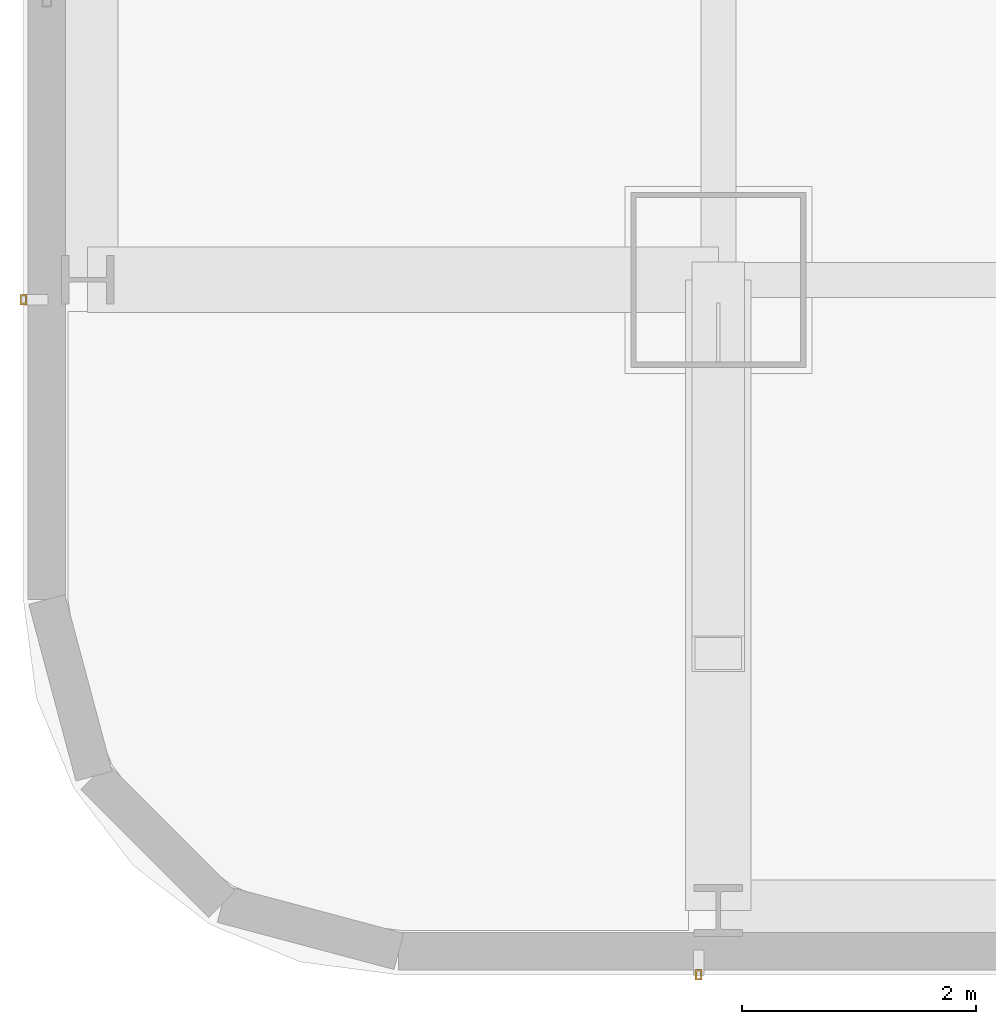
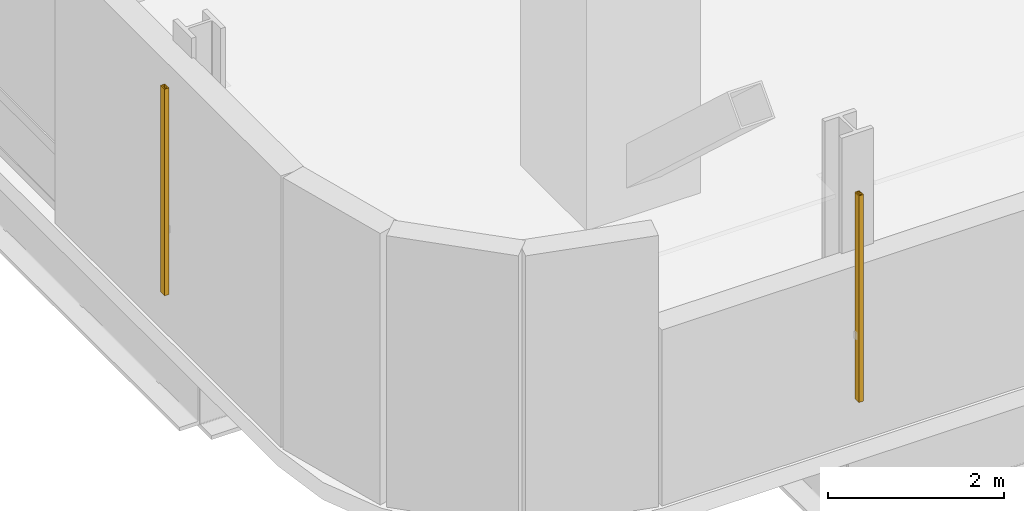
# One storey, part 34 of 45: 2 shading devices.
"""IFC4 building model written with IfcOpenShell, lengths in metres."""

from ifc_helpers import new_model, si_unit, direction, frame, origin, origin_2d, place, context, subcontext, project, spatial, hollow_rectangle, extrude, material, material_profile, profile_set, type_object, element, save


model = new_model("IFC4")

# Units and contexts
model_context = context("Model", 3, precision=1e-05, world=origin(), true_north=direction((0.0, 1.0)))
body_context = subcontext(model_context, "Body", "Model", "MODEL_VIEW")
ifc_project = project(units=[si_unit("LENGTHUNIT", "METRE"), si_unit("AREAUNIT", "SQUARE_METRE"), si_unit("VOLUMEUNIT", "CUBIC_METRE"), si_unit("PLANEANGLEUNIT", "RADIAN"), si_unit("MASSUNIT", "GRAM", prefix="KILO")], contexts=[model_context])

# Site, building, storey
site_placement = place(None, origin())
site = spatial("IfcSite", under=ifc_project, at=site_placement, CompositionType="ELEMENT")
building_placement = place(site_placement, origin())
building = spatial("IfcBuilding", under=site, at=building_placement, Name="Punatoya Terracotta Tower", CompositionType="ELEMENT")
storey_placement = place(building_placement, frame((0.0, 0.0, 56.550048828125)))
storey = spatial("IfcBuildingStorey", under=building, at=storey_placement, Name="L12", CompositionType="ELEMENT", Elevation=56.550048828125)

# Shading devices
ifc_material = material(Name="Architectural Fired Terracotta", Category="masonry")
ifc_material_profile = material_profile(ifc_material, hollow_rectangle(XDim=0.06005859375, YDim=0.090087890625, WallThickness=0.013916015625, at=origin_2d()))
ifc_profile_set = profile_set([ifc_material_profile], Name="Architectural Fired Terracotta")
shading_device_type = type_object("IfcShadingDeviceType", Name="SHD-JALI-90", PredefinedType="JALOUSIE", material=ifc_profile_set)
for number, where, z_axis, x_axis, name in (
    (1, (-19.2685546875, -23.449951171875, 0.599853515625), (0.0, 0.0, 1.0), (1.0, 0.0, 0.0), "L12 Braced Bay Terracotta Jali Fin S1"),
    (2, (-25.050048828125, -17.66845703125, 0.599853515625), (0.0, 0.0, 1.0), (1.0, 0.0, 0.0), "L12 Braced Bay Terracotta Jali Fin W2"),
):
    element("IfcShadingDevice", number, at=place(storey_placement, frame(where, z_axis=z_axis, x_axis=x_axis)), inside=storey, type_object=shading_device_type, Name=name, PredefinedType="JALOUSIE", context=body_context, shape_type="SweptSolid", body=[
        extrude(hollow_rectangle(XDim=0.06005859375, YDim=0.090087890625, WallThickness=0.013916015625, at=origin_2d()), origin(), (0.0, 0.0, 1.0), 2.8701171875),
    ])

save(model, "model.ifc")
